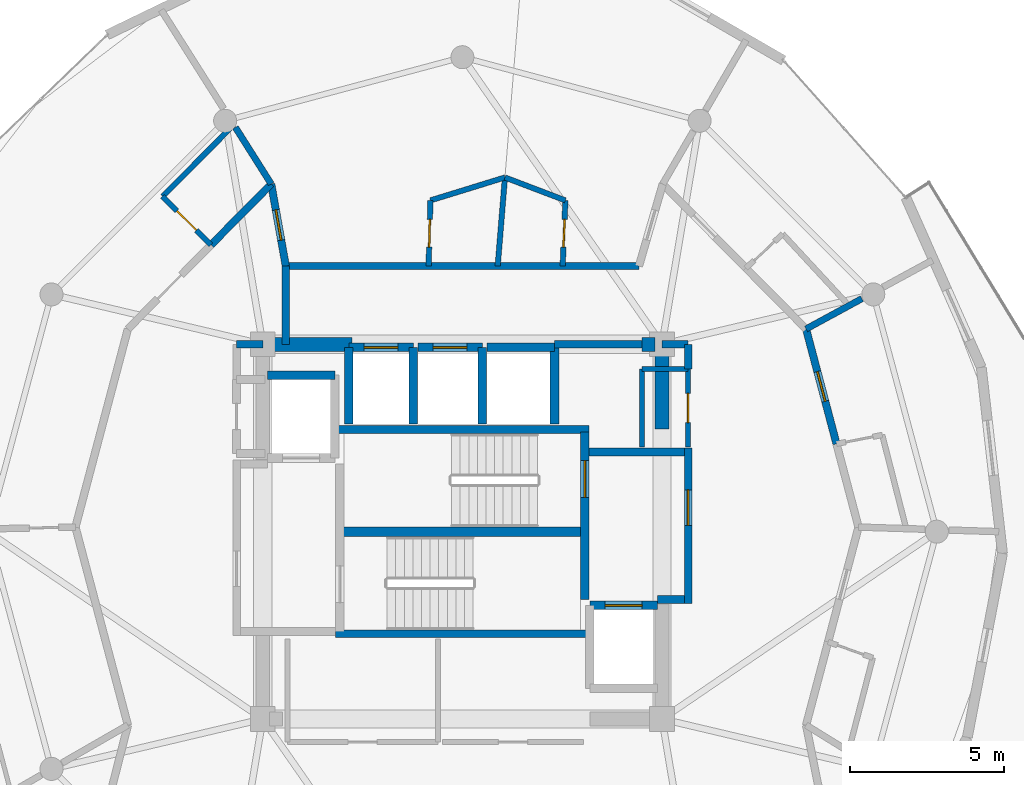
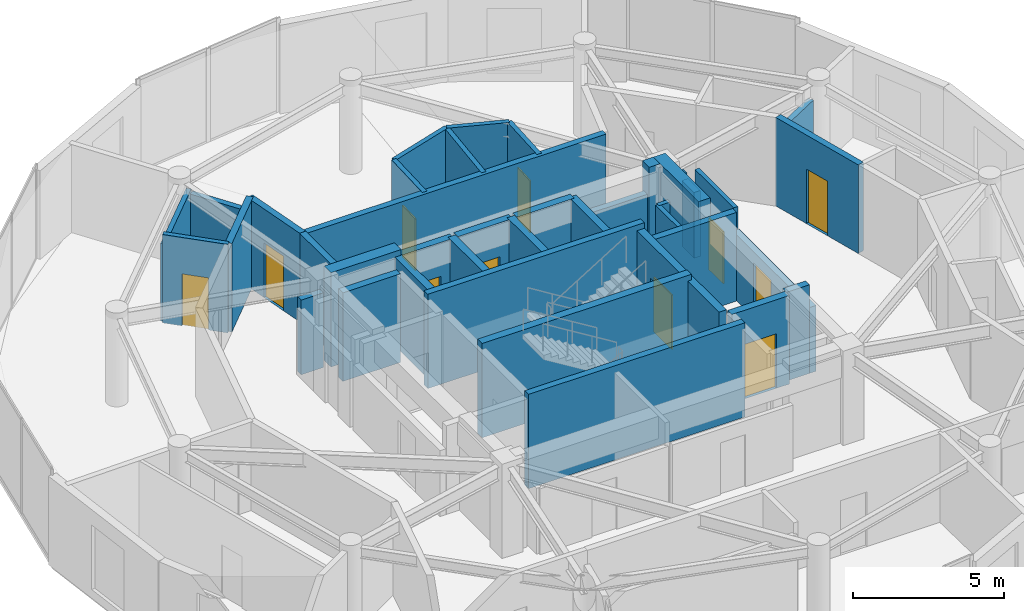
# One storey, part 19 of 23: 40 walls, 11 doors, 11 openings.
"""IFC4 building model written with IfcOpenShell, lengths in metres."""

from ifc_helpers import new_model, si_unit, direction, frame, frame_2d, origin, place, context, subcontext, project, spatial, rectangle, extrude, material, layer, layer_set, type_object, element, fill, save


model = new_model("IFC4")

# Units and contexts
model_context = context("Model", 3, precision=1e-05, world=origin(), true_north=direction((0.0, 1.0)))
body_context = subcontext(model_context, "Body", "Model", "MODEL_VIEW")
ifc_project = project(units=[si_unit("LENGTHUNIT", "METRE"), si_unit("AREAUNIT", "SQUARE_METRE"), si_unit("VOLUMEUNIT", "CUBIC_METRE"), si_unit("PLANEANGLEUNIT", "RADIAN"), si_unit("MASSUNIT", "GRAM", prefix="KILO")], contexts=[model_context])

# Site, building, storey
site_placement = place(None, origin())
site = spatial("IfcSite", under=ifc_project, at=site_placement, CompositionType="ELEMENT")
building_placement = place(site_placement, origin())
building = spatial("IfcBuilding", under=site, at=building_placement, Name="Solvirekh Grand Hotel", CompositionType="ELEMENT")
storey_placement = place(building_placement, frame((0.0, 0.0, 285.800048828125)))
storey = spatial("IfcBuildingStorey", under=building, at=storey_placement, Name="L74", CompositionType="ELEMENT", Elevation=285.800048828125)

# Walls
ifc_material_1 = material(Name="Concrete C50/60", Category="concrete")
ifc_layer_1 = layer(ifc_material_1, 0.35009765625)
ifc_layer_set_1 = layer_set([ifc_layer_1], Name="Concrete C50/60")
wall_type_1 = type_object("IfcWallType", Name="CoreDivWall_RC350", PredefinedType="SOLIDWALL", material=ifc_layer_set_1)
for number, where, z_axis, x_axis, name in (
    (1, (-4.1298828125, -3.324951171875, 0.0), (0.0, 0.0, 1.0), (1.0, 0.0, 0.0), "L74 core stair box wall ST-S"),
    (2, (-4.1298828125, 3.324951171875, 0.0), (0.0, 0.0, 1.0), (1.0, 0.0, 0.0), "L74 core stair box wall ST-N"),
):
    element("IfcWall", number, at=place(storey_placement, frame(where, z_axis=z_axis, x_axis=x_axis)), inside=storey, type_object=wall_type_1, Name=name, PredefinedType="SOLIDWALL", context=body_context, shape_type="SweptSolid", body=[
        extrude(rectangle(XDim=8.259765625, YDim=0.25, at=frame_2d((4.1298828125, 0.0))), origin(), (0.0, 0.0, 1.0), 3.800048828125),
    ])

# Wall, opening, door
ifc_material_2 = material(Name="Concrete C40/50", Category="concrete")
ifc_layer_2 = layer(ifc_material_2, 0.280029296875)
ifc_layer_set_2 = layer_set([ifc_layer_2], Name="Concrete C40/50")
wall_type_2 = type_object("IfcWallType", Name="CoreShaftWall_RC280", PredefinedType="SOLIDWALL", material=ifc_layer_set_2)
wall_1_placement = place(storey_placement, frame((-1.60009765625, 6.0, 0.0), z_axis=(0.0, 0.0, 1.0), x_axis=(-1.0, 0.0, 0.0)))
wall_1 = element("IfcWall", 3, at=wall_1_placement, inside=storey, type_object=wall_type_2, Name="L74 HP-1 hoistway N wall", PredefinedType="SOLIDWALL", context=body_context, shape_type="SweptSolid", body=[
    extrude(rectangle(XDim=2.099853515625, YDim=0.280029296875, at=frame_2d((1.0498046875, 0.0))), origin(), (0.0, 0.0, 1.0), 3.570068359375),
])
opening_1_placement = place(wall_1_placement, frame((0.5, 0.0, 0.0)))
opening_1 = element("IfcOpeningElement", 4, at=opening_1_placement, cuts=wall_1, Name="Opening LD01", PredefinedType="OPENING", context=body_context, shape_type="SweptSolid", body=[
    extrude(rectangle(XDim=1.10009765625, YDim=2.199951171875, at=frame_2d((0.550048828125, 1.10009765625))), frame((0.0, 0.14990234375, 0.0), z_axis=(0.0, -1.0, 0.0), x_axis=(1.0, 0.0, 0.0)), (0.0, 0.0, 1.0), 0.300048828125),
])
ifc_material_3 = material(Name="Fire-Rated Steel Door Assembly", Category="steel")
door_type_1 = type_object("IfcDoorType", Name="Door_LiftLanding_1100X2200", OperationType="SLIDING_TO_LEFT", PredefinedType="DOOR", material=ifc_material_3)
door_1_placement = place(opening_1_placement, origin())
door_1 = element("IfcDoor", 5, at=door_1_placement, inside=storey, type_object=door_type_1, Name="L74 HP-1 sliding lift landing door", OperationType="SLIDING_TO_LEFT", OverallHeight=2.199951171875, OverallWidth=1.10009765625, PredefinedType="DOOR", context=body_context, shape_type="SweptSolid", body=[
    extrude(rectangle(XDim=1.10009765625, YDim=2.199951171875, at=frame_2d((0.550048828125, 1.10009765625))), frame((0.0, 0.02490234375, 0.0), z_axis=(0.0, -1.0, 0.0), x_axis=(1.0, 0.0, 0.0)), (0.0, 0.0, 1.0), 0.050048828125),
])
fill(opening_1, door_1)

# Walls
for number, where, z_axis, x_axis, name in (
    (6, (-3.699951171875, 6.0, 0.0), (0.0, 0.0, 1.0), (0.0, -1.0, 0.0), "L74 HP-1 hoistway W wall"),
    (7, (-1.60009765625, 3.5, 0.0), (0.0, 0.0, 1.0), (0.0, 1.0, 0.0), "L74 HP-1 hoistway E wall"),
):
    element("IfcWall", number, at=place(storey_placement, frame(where, z_axis=z_axis, x_axis=x_axis)), inside=storey, type_object=wall_type_2, Name=name, PredefinedType="SOLIDWALL", context=body_context, shape_type="SweptSolid", body=[
        extrude(rectangle(XDim=2.5, YDim=0.280029296875, at=frame_2d((1.25, 0.0))), origin(), (0.0, 0.0, 1.0), 3.570068359375),
    ])

# Wall, opening, door
wall_2_placement = place(storey_placement, frame((0.64990234375, 6.0, 0.0), z_axis=(0.0, 0.0, 1.0), x_axis=(-1.0, 0.0, 0.0)))
wall_2 = element("IfcWall", 8, at=wall_2_placement, inside=storey, type_object=wall_type_2, Name="L74 HP-2 hoistway N wall", PredefinedType="SOLIDWALL", context=body_context, shape_type="SweptSolid", body=[
    extrude(rectangle(XDim=2.099853515625, YDim=0.280029296875, at=frame_2d((1.0498046875, 0.0))), origin(), (0.0, 0.0, 1.0), 3.570068359375),
])
opening_2_placement = place(wall_2_placement, frame((0.5, 0.0, 0.0)))
opening_2 = element("IfcOpeningElement", 9, at=opening_2_placement, cuts=wall_2, Name="Opening LD01", PredefinedType="OPENING", context=body_context, shape_type="SweptSolid", body=[
    extrude(rectangle(XDim=1.10009765625, YDim=2.199951171875, at=frame_2d((0.550048828125, 1.10009765625))), frame((0.0, 0.14990234375, 0.0), z_axis=(0.0, -1.0, 0.0), x_axis=(1.0, 0.0, 0.0)), (0.0, 0.0, 1.0), 0.300048828125),
])
door_2_placement = place(opening_2_placement, origin())
door_2 = element("IfcDoor", 10, at=door_2_placement, inside=storey, type_object=door_type_1, Name="L74 HP-2 sliding lift landing door", OperationType="SLIDING_TO_LEFT", OverallHeight=2.199951171875, OverallWidth=1.10009765625, PredefinedType="DOOR", context=body_context, shape_type="SweptSolid", body=[
    extrude(rectangle(XDim=1.10009765625, YDim=2.199951171875, at=frame_2d((0.550048828125, 1.10009765625))), frame((0.0, 0.02490234375, 0.0), z_axis=(0.0, -1.0, 0.0), x_axis=(1.0, 0.0, 0.0)), (0.0, 0.0, 1.0), 0.050048828125),
])
fill(opening_2, door_2)

# Walls
wall_3_placement = place(storey_placement, frame((0.64990234375, 3.5, 0.0), z_axis=(0.0, 0.0, 1.0), x_axis=(0.0, 1.0, 0.0)))
element("IfcWall", 11, at=wall_3_placement, inside=storey, type_object=wall_type_2, Name="L74 HP-2 hoistway E wall", PredefinedType="SOLIDWALL", context=body_context, shape_type="SweptSolid", body=[
    extrude(rectangle(XDim=2.5, YDim=0.280029296875, at=frame_2d((1.25, 0.0))), origin(), (0.0, 0.0, 1.0), 3.570068359375),
])
wall_4_placement = place(storey_placement, frame((3.0, 6.0, 0.0), z_axis=(0.0, 0.0, 1.0), x_axis=(-1.0, 0.0, 0.0)))
element("IfcWall", 12, at=wall_4_placement, inside=storey, type_object=wall_type_2, Name="L74 EX-1 hoistway N wall", PredefinedType="SOLIDWALL", context=body_context, shape_type="SweptSolid", body=[
    extrude(rectangle(XDim=2.199951171875, YDim=0.280029296875, at=frame_2d((1.10009765625, 0.0))), origin(), (0.0, 0.0, 1.0), 3.570068359375),
])
wall_5_placement = place(storey_placement, frame((3.0, 3.5, 0.0), z_axis=(0.0, 0.0, 1.0), x_axis=(0.0, 1.0, 0.0)))
element("IfcWall", 13, at=wall_5_placement, inside=storey, type_object=wall_type_2, Name="L74 EX-1 hoistway E wall", PredefinedType="SOLIDWALL", context=body_context, shape_type="SweptSolid", body=[
    extrude(rectangle(XDim=2.5, YDim=0.280029296875, at=frame_2d((1.25, 0.0))), origin(), (0.0, 0.0, 1.0), 3.570068359375),
])
wall_6_placement = place(storey_placement, frame((-4.14990234375, 5.10009765625, 0.0), z_axis=(0.0, 0.0, 1.0), x_axis=(-1.0, 0.0, 0.0)))
element("IfcWall", 14, at=wall_6_placement, inside=storey, type_object=wall_type_2, Name="L74 FL-1 hoistway N wall", PredefinedType="SOLIDWALL", context=body_context, shape_type="SweptSolid", body=[
    extrude(rectangle(XDim=2.2001953125, YDim=0.280029296875, at=frame_2d((1.10009765625, 0.0))), origin(), (0.0, 0.0, 1.0), 3.570068359375),
])

# Wall, opening, door
wall_7_placement = place(storey_placement, frame((6.35009765625, -2.39990234375, 0.0), z_axis=(0.0, 0.0, 1.0), x_axis=(-1.0, 0.0, 0.0)))
wall_7 = element("IfcWall", 15, at=wall_7_placement, inside=storey, type_object=wall_type_2, Name="L74 FL-2 hoistway N wall", PredefinedType="SOLIDWALL", context=body_context, shape_type="SweptSolid", body=[
    extrude(rectangle(XDim=2.2001953125, YDim=0.280029296875, at=frame_2d((1.10009765625, 0.0))), origin(), (0.0, 0.0, 1.0), 3.570068359375),
])
opening_3_placement = place(wall_7_placement, frame((0.5, 0.0, 0.0)))
opening_3 = element("IfcOpeningElement", 16, at=opening_3_placement, cuts=wall_7, Name="Opening LD02", PredefinedType="OPENING", context=body_context, shape_type="SweptSolid", body=[
    extrude(rectangle(XDim=1.199951171875, YDim=2.199951171875, at=frame_2d((0.60009765625, 1.10009765625))), frame((0.0, 0.14990234375, 0.0), z_axis=(0.0, -1.0, 0.0), x_axis=(1.0, 0.0, 0.0)), (0.0, 0.0, 1.0), 0.300048828125),
])
door_type_2 = type_object("IfcDoorType", Name="Door_LiftFF_1200X2200", OperationType="SLIDING_TO_LEFT", PredefinedType="DOOR", material=ifc_material_3)
door_3_placement = place(opening_3_placement, origin())
door_3 = element("IfcDoor", 17, at=door_3_placement, inside=storey, type_object=door_type_2, Name="L74 FL-2 sliding lift landing door", OperationType="SLIDING_TO_LEFT", OverallHeight=2.199951171875, OverallWidth=1.199951171875, PredefinedType="DOOR", context=body_context, shape_type="SweptSolid", body=[
    extrude(rectangle(XDim=1.199951171875, YDim=2.199951171875, at=frame_2d((0.60009765625, 1.10009765625))), frame((0.0, 0.02490234375, 0.0), z_axis=(0.0, -1.0, 0.0), x_axis=(1.0, 0.0, 0.0)), (0.0, 0.0, 1.0), 0.050048828125),
])
fill(opening_3, door_3)

wall_8_placement = place(storey_placement, frame((3.989990234375, -2.2099609375, 0.0), z_axis=(0.0, 0.0, 1.0), x_axis=(0.0, 1.0, 0.0)))
wall_8 = element("IfcWall", 18, at=wall_8_placement, inside=storey, type_object=wall_type_2, Name="L74 east stair landing enclosure wall", PredefinedType="SOLIDWALL", context=body_context, shape_type="SweptSolid", body=[
    extrude(rectangle(XDim=5.4599609375, YDim=0.280029296875, at=frame_2d((2.72998046875, 0.0))), origin(), (0.0, 0.0, 1.0), 3.570068359375),
])
opening_4_placement = place(wall_8_placement, frame((3.322998046875, 0.0, 0.0)))
opening_4 = element("IfcOpeningElement", 19, at=opening_4_placement, cuts=wall_8, Name="Opening D05", PredefinedType="OPENING", context=body_context, shape_type="SweptSolid", body=[
    extrude(rectangle(XDim=1.199951171875, YDim=2.199951171875, at=frame_2d((0.60009765625, 1.10009765625))), frame((0.0, 0.14990234375, 0.0), z_axis=(0.0, -1.0, 0.0), x_axis=(1.0, 0.0, 0.0)), (0.0, 0.0, 1.0), 0.300048828125),
])
door_type_3 = type_object("IfcDoorType", Name="Door_StairCore_1200X2200", OperationType="NOTDEFINED", PredefinedType="DOOR", material=ifc_material_3)
door_4_placement = place(opening_4_placement, origin())
door_4 = element("IfcDoor", 20, at=door_4_placement, inside=storey, type_object=door_type_3, Name="L74 exit stair ST-2 fire door", OperationType="SINGLE_SWING_RIGHT", OverallHeight=2.199951171875, OverallWidth=1.199951171875, PredefinedType="DOOR", context=body_context, shape_type="SweptSolid", body=[
    extrude(rectangle(XDim=1.199951171875, YDim=2.199951171875, at=frame_2d((0.60009765625, 1.10009765625))), frame((0.0, 0.02490234375, 0.0), z_axis=(0.0, -1.0, 0.0), x_axis=(1.0, 0.0, 0.0)), (0.0, 0.0, 1.0), 0.050048828125),
])
fill(opening_4, door_4)

# Walls
ifc_layer_3 = layer(ifc_material_1, 0.449951171875)
ifc_layer_set_3 = layer_set([ifc_layer_3], Name="Concrete C50/60")
wall_type_3 = type_object("IfcWallType", Name="CoreWall_RC450", PredefinedType="SHEAR", material=ifc_layer_set_3)
wall_9_placement = place(storey_placement, frame((-3.989990234375, 0.0, 0.0), z_axis=(0.0, 0.0, 1.0), x_axis=(1.0, 0.0, 0.0)))
element("IfcWall", 21, at=wall_9_placement, inside=storey, type_object=wall_type_3, Name="L74 central stair-spine shear wall", PredefinedType="SHEAR", context=body_context, shape_type="SweptSolid", body=[
    extrude(rectangle(XDim=7.97998046875, YDim=0.300048828125, at=frame_2d((3.989990234375, 0.0))), origin(), (0.0, 0.0, 1.0), 3.800048828125),
])
wall_10_placement = place(storey_placement, frame((-6.27490234375, 6.10009765625, 0.0), z_axis=(0.0, 0.0, 1.0), x_axis=(1.0, 0.0, 0.0)))
element("IfcWall", 22, at=wall_10_placement, inside=storey, type_object=wall_type_3, Name="L74 core corner shear wall NW-N", PredefinedType="SHEAR", context=body_context, shape_type="SweptSolid", body=[
    extrude(rectangle(XDim=2.6748046875, YDim=0.449951171875, at=frame_2d((1.33740234375, 0.0))), origin(), (0.0, 0.0, 1.0), 3.800048828125),
])
wall_11_placement = place(storey_placement, frame((5.85009765625, 6.10009765625, 0.0), z_axis=(0.0, 0.0, 1.0), x_axis=(1.0, 0.0, 0.0)))
element("IfcWall", 23, at=wall_11_placement, inside=storey, type_object=wall_type_3, Name="L74 core corner shear wall NE-N", PredefinedType="SHEAR", context=body_context, shape_type="SweptSolid", body=[
    extrude(rectangle(XDim=0.4248046875, YDim=0.449951171875, at=frame_2d((0.21240234375, 0.0))), origin(), (0.0, 0.0, 1.0), 3.800048828125),
])
wall_12_placement = place(storey_placement, frame((6.5, 3.35009765625, 0.0), z_axis=(0.0, 0.0, 1.0), x_axis=(0.0, 1.0, 0.0)))
element("IfcWall", 24, at=wall_12_placement, inside=storey, type_object=wall_type_3, Name="L74 core corner shear wall EN-E", PredefinedType="SHEAR", context=body_context, shape_type="SweptSolid", body=[
    extrude(rectangle(XDim=2.974853515625, YDim=0.449951171875, at=frame_2d((1.4873046875, 0.0))), origin(), (0.0, 0.0, 1.0), 3.800048828125),
])

# Wall, opening, door
ifc_material_4 = material(Name="Acoustic Gypsum Partition Assembly")
ifc_layer_4 = layer(ifc_material_4, 0.1650390625)
ifc_layer_set_4 = layer_set([ifc_layer_4], Name="Acoustic Gypsum Partition Assembly")
wall_type_4 = type_object("IfcWallType", Name="Part_BOH_165", PredefinedType="PARTITIONING", material=ifc_layer_set_4)
wall_13_placement = place(storey_placement, frame((7.35009765625, 2.75, 0.0), z_axis=(0.0, 0.0, 1.0), x_axis=(0.0, 1.0, 0.0)))
wall_13 = element("IfcWall", 25, at=wall_13_placement, inside=storey, type_object=wall_type_4, Name="L74 L74 Core Housekeeping & Linen Room wall 2", PredefinedType="PARTITIONING", context=body_context, shape_type="SweptSolid", body=[
    extrude(rectangle(XDim=2.550048828125, YDim=0.1650390625, at=frame_2d((1.27490234375, 0.0))), origin(), (0.0, 0.0, 1.0), 3.570068359375),
])
opening_5_placement = place(wall_13_placement, frame((0.800048828125, 0.0, 0.0)))
opening_5 = element("IfcOpeningElement", 26, at=opening_5_placement, cuts=wall_13, Name="Opening D10", PredefinedType="OPENING", context=body_context, shape_type="SweptSolid", body=[
    extrude(rectangle(XDim=0.949951171875, YDim=2.10009765625, at=frame_2d((0.47509765625, 1.050048828125))), frame((0.0, 0.092529296875, 0.0), z_axis=(0.0, -1.0, 0.0), x_axis=(1.0, 0.0, 0.0)), (0.0, 0.0, 1.0), 0.18505859375),
])
ifc_material_5 = material(Name="Anodized Bronze Aluminium 6063-T6", Category="aluminium")
door_type_4 = type_object("IfcDoorType", Name="Door_RoomInt_950X2100", OperationType="NOTDEFINED", PredefinedType="DOOR", material=ifc_material_5)
door_5_placement = place(opening_5_placement, origin())
door_5 = element("IfcDoor", 27, at=door_5_placement, inside=storey, type_object=door_type_4, Name="L74 L74 Core Housekeeping & Linen Room door", OperationType="SINGLE_SWING_RIGHT", OverallHeight=2.10009765625, OverallWidth=0.949951171875, PredefinedType="DOOR", context=body_context, shape_type="SweptSolid", body=[
    extrude(rectangle(XDim=0.949951171875, YDim=2.10009765625, at=frame_2d((0.47509765625, 1.050048828125))), frame((0.0, 0.02490234375, 0.0), z_axis=(0.0, -1.0, 0.0), x_axis=(1.0, 0.0, 0.0)), (0.0, 0.0, 1.0), 0.050048828125),
])
fill(opening_5, door_5)

# Walls
wall_14_placement = place(storey_placement, frame((7.35009765625, 5.300048828125, 0.0), z_axis=(0.0, 0.0, 1.0), x_axis=(-1.0, 0.0, 0.0)))
element("IfcWall", 28, at=wall_14_placement, inside=storey, type_object=wall_type_4, Name="L74 L74 Core Housekeeping & Linen Room wall 3", PredefinedType="PARTITIONING", context=body_context, shape_type="SweptSolid", body=[
    extrude(rectangle(XDim=1.5, YDim=0.1650390625, at=frame_2d((0.75, 0.0))), origin(), (0.0, 0.0, 1.0), 2.655029296875),
])
wall_15_placement = place(storey_placement, frame((5.85009765625, 5.300048828125, 0.0), z_axis=(0.0, 0.0, 1.0), x_axis=(0.0, -1.0, 0.0)))
element("IfcWall", 29, at=wall_15_placement, inside=storey, type_object=wall_type_4, Name="L74 L74 Core Housekeeping & Linen Room wall 4", PredefinedType="PARTITIONING", context=body_context, shape_type="SweptSolid", body=[
    extrude(rectangle(XDim=2.550048828125, YDim=0.1650390625, at=frame_2d((1.27490234375, 0.0))), origin(), (0.0, 0.0, 1.0), 2.655029296875),
])

# Wall, opening, door
ifc_layer_5 = layer(ifc_material_4, 0.239990234375)
ifc_layer_set_5 = layer_set([ifc_layer_5], Name="Acoustic Gypsum Partition Assembly")
wall_type_5 = type_object("IfcWallType", Name="Part_Corridor_240", PredefinedType="PARTITIONING", material=ifc_layer_set_5)
wall_16_placement = place(storey_placement, frame((7.35009765625, -2.340087890625, 0.0), z_axis=(0.0, 0.0, 1.0), x_axis=(0.0, 1.0, 0.0)))
wall_16 = element("IfcWall", 30, at=wall_16_placement, inside=storey, type_object=wall_type_5, Name="L74 east firefighting lobby smoke screen wall", PredefinedType="PARTITIONING", context=body_context, shape_type="SweptSolid", body=[
    extrude(rectangle(XDim=5.070068359375, YDim=0.239990234375, at=frame_2d((2.53515625, 0.0))), origin(), (0.0, 0.0, 1.0), 2.655029296875),
])
opening_6_placement = place(wall_16_placement, frame((2.548095703125, 0.0, 0.0)))
opening_6 = element("IfcOpeningElement", 31, at=opening_6_placement, cuts=wall_16, Name="Opening D06", PredefinedType="OPENING", context=body_context, shape_type="SweptSolid", body=[
    extrude(rectangle(XDim=1.14990234375, YDim=2.199951171875, at=frame_2d((0.574951171875, 1.10009765625))), frame((0.0, 0.1298828125, 0.0), z_axis=(0.0, -1.0, 0.0), x_axis=(1.0, 0.0, 0.0)), (0.0, 0.0, 1.0), 0.260009765625),
])
door_type_5 = type_object("IfcDoorType", Name="Door_FFLobby_1150X2200", OperationType="NOTDEFINED", PredefinedType="DOOR", material=ifc_material_3)
door_6_placement = place(opening_6_placement, origin())
door_6 = element("IfcDoor", 32, at=door_6_placement, inside=storey, type_object=door_type_5, Name="L74 east firefighting lobby smoke door", OperationType="SINGLE_SWING_RIGHT", OverallHeight=2.199951171875, OverallWidth=1.14990234375, PredefinedType="DOOR", context=body_context, shape_type="SweptSolid", body=[
    extrude(rectangle(XDim=1.14990234375, YDim=2.199951171875, at=frame_2d((0.574951171875, 1.10009765625))), frame((0.0, 0.02490234375, 0.0), z_axis=(0.0, -1.0, 0.0), x_axis=(1.0, 0.0, 0.0)), (0.0, 0.0, 1.0), 0.050048828125),
])
fill(opening_6, door_6)

# Walls
wall_17_placement = place(storey_placement, frame((-5.75, 8.64990234375, 0.0), z_axis=(0.0, 0.0, 1.0), x_axis=(1.0, 0.0, 0.0)))
element("IfcWall", 33, at=wall_17_placement, inside=storey, type_object=wall_type_5, Name="L74 north lift lobby enclosure wall", PredefinedType="PARTITIONING", context=body_context, shape_type="SweptSolid", body=[
    extrude(rectangle(XDim=11.5, YDim=0.239990234375, at=frame_2d((5.75, 0.0))), origin(), (0.0, 0.0, 1.0), 3.570068359375),
])
wall_18_placement = place(storey_placement, frame((3.0, 6.10009765625, 0.0), z_axis=(0.0, 0.0, 1.0), x_axis=(1.0, 0.0, 0.0)))
element("IfcWall", 34, at=wall_18_placement, inside=storey, type_object=wall_type_5, Name="L74 north core shaft infill wall", PredefinedType="PARTITIONING", context=body_context, shape_type="SweptSolid", body=[
    extrude(rectangle(XDim=2.85009765625, YDim=0.239990234375, at=frame_2d((1.425048828125, 0.0))), origin(), (0.0, 0.0, 1.0), 2.655029296875),
])
wall_19_placement = place(storey_placement, frame((7.35009765625, 5.300048828125, 0.0), z_axis=(0.0, 0.0, 1.0), x_axis=(0.0, 1.0, 0.0)))
element("IfcWall", 35, at=wall_19_placement, inside=storey, type_object=wall_type_5, Name="L74 NE core cheek closure wall", PredefinedType="PARTITIONING", context=body_context, shape_type="SweptSolid", body=[
    extrude(rectangle(XDim=0.800048828125, YDim=0.239990234375, at=frame_2d((0.39990234375, 0.0))), origin(), (0.0, 0.0, 1.0), 2.655029296875),
])
wall_20_placement = place(storey_placement, frame((6.5, 6.10009765625, 0.0), z_axis=(0.0, 0.0, 1.0), x_axis=(1.0, 0.0, 0.0)))
element("IfcWall", 36, at=wall_20_placement, inside=storey, type_object=wall_type_5, Name="L74 NE core corner tie wall", PredefinedType="PARTITIONING", context=body_context, shape_type="SweptSolid", body=[
    extrude(rectangle(XDim=0.85009765625, YDim=0.239990234375, at=frame_2d((0.425048828125, 0.0))), origin(), (0.0, 0.0, 1.0), 3.010986328125),
])
wall_21_placement = place(storey_placement, frame((-5.75, 6.10009765625, 0.0), z_axis=(0.0, 0.0, 1.0), x_axis=(0.0, 1.0, 0.0)))
element("IfcWall", 37, at=wall_21_placement, inside=storey, type_object=wall_type_5, Name="L74 north lift lobby west wall", PredefinedType="PARTITIONING", context=body_context, shape_type="SweptSolid", body=[
    extrude(rectangle(XDim=2.5498046875, YDim=0.239990234375, at=frame_2d((1.27490234375, 0.0))), origin(), (0.0, 0.0, 1.0), 3.570068359375),
])
wall_22_placement = place(storey_placement, frame((-7.35009765625, 6.10009765625, 0.0), z_axis=(0.0, 0.0, 1.0), x_axis=(1.0, 0.0, 0.0)))
element("IfcWall", 38, at=wall_22_placement, inside=storey, type_object=wall_type_5, Name="L74 NW core corner tie wall", PredefinedType="PARTITIONING", context=body_context, shape_type="SweptSolid", body=[
    extrude(rectangle(XDim=0.85009765625, YDim=0.239990234375, at=frame_2d((0.425048828125, 0.0))), origin(), (0.0, 0.0, 1.0), 3.010986328125),
])

# Wall, opening, door
wall_23_placement = place(storey_placement, frame((-6.22509765625, 11.322021484375, 0.0), z_axis=(0.0, 0.0, 1.0), x_axis=(0.175052712288, -0.984559062688, 0.0)))
wall_23 = element("IfcWall", 39, at=wall_23_placement, inside=storey, type_object=wall_type_5, Name="L74 Panorama Suite 7602 entrance wall", PredefinedType="PARTITIONING", context=body_context, shape_type="SweptSolid", body=[
    extrude(rectangle(XDim=2.714111328125, YDim=0.239990234375, at=frame_2d((1.35693359375, 0.0))), origin(), (0.0, 0.0, 1.0), 3.570068359375),
])
opening_7_placement = place(wall_23_placement, frame((0.85693359375, 0.0, 0.0)))
opening_7 = element("IfcOpeningElement", 40, at=opening_7_placement, cuts=wall_23, Name="Opening D07", PredefinedType="OPENING", context=body_context, shape_type="SweptSolid", body=[
    extrude(rectangle(XDim=1.0, YDim=2.199951171875, at=frame_2d((0.5, 1.10009765625))), frame((0.0, 0.1298828125, 0.0), z_axis=(0.0, -1.0, 0.0), x_axis=(1.0, 0.0, 0.0)), (0.0, 0.0, 1.0), 0.260009765625),
])
door_type_6 = type_object("IfcDoorType", Name="Door_GuestEntry_1000X2200", OperationType="NOTDEFINED", PredefinedType="DOOR", material=ifc_material_3)
door_7_placement = place(opening_7_placement, origin())
door_7 = element("IfcDoor", 41, at=door_7_placement, inside=storey, type_object=door_type_6, Name="L74 Panorama Suite 7602 entrance door", OperationType="SINGLE_SWING_RIGHT", OverallHeight=2.199951171875, OverallWidth=1.0, PredefinedType="DOOR", context=body_context, shape_type="SweptSolid", body=[
    extrude(rectangle(XDim=1.0, YDim=2.199951171875, at=frame_2d((0.5, 1.10009765625))), frame((0.0, 0.02490234375, 0.0), z_axis=(0.0, -1.0, 0.0), x_axis=(1.0, 0.0, 0.0)), (0.0, 0.0, 1.0), 0.050048828125),
])
fill(opening_7, door_7)

# Wall
wall_24_placement = place(storey_placement, frame((-6.22509765625, 11.322021484375, 0.0), z_axis=(0.0, 0.0, 1.0), x_axis=(-0.702979205765, -0.711210402245, 0.0)))
element("IfcWall", 42, at=wall_24_placement, inside=storey, type_object=wall_type_5, Name="L74 En-suite Bathroom 7603 corridor backing wall", PredefinedType="PARTITIONING", context=body_context, shape_type="SweptSolid", body=[
    extrude(rectangle(XDim=2.7880859375, YDim=0.239990234375, at=frame_2d((1.39404296875, 0.0))), origin(), (0.0, 0.0, 1.0), 3.570068359375),
])

# Wall, opening, door
wall_25_placement = place(storey_placement, frame((12.18310546875, 2.85888671875, 0.0), z_axis=(0.0, 0.0, 1.0), x_axis=(-0.256107548437, 0.966648293659, 0.0)))
wall_25 = element("IfcWall", 43, at=wall_25_placement, inside=storey, type_object=wall_type_5, Name="L74 Deluxe Guestroom 7605 entrance wall", PredefinedType="PARTITIONING", context=body_context, shape_type="SweptSolid", body=[
    extrude(rectangle(XDim=3.870361328125, YDim=0.239990234375, at=frame_2d((1.93505859375, 0.0))), origin(), (0.0, 0.0, 1.0), 3.570068359375),
])
opening_8_placement = place(wall_25_placement, frame((1.43505859375, 0.0, 0.0)))
opening_8 = element("IfcOpeningElement", 44, at=opening_8_placement, cuts=wall_25, Name="Opening D07", PredefinedType="OPENING", context=body_context, shape_type="SweptSolid", body=[
    extrude(rectangle(XDim=1.0, YDim=2.199951171875, at=frame_2d((0.5, 1.10009765625))), frame((0.0, 0.1298828125, 0.0), z_axis=(0.0, -1.0, 0.0), x_axis=(1.0, 0.0, 0.0)), (0.0, 0.0, 1.0), 0.260009765625),
])
door_8_placement = place(opening_8_placement, origin())
door_8 = element("IfcDoor", 45, at=door_8_placement, inside=storey, type_object=door_type_6, Name="L74 Deluxe Guestroom 7605 entrance door", OperationType="SINGLE_SWING_RIGHT", OverallHeight=2.199951171875, OverallWidth=1.0, PredefinedType="DOOR", context=body_context, shape_type="SweptSolid", body=[
    extrude(rectangle(XDim=1.0, YDim=2.199951171875, at=frame_2d((0.5, 1.10009765625))), frame((0.0, 0.02490234375, 0.0), z_axis=(0.0, -1.0, 0.0), x_axis=(1.0, 0.0, 0.0)), (0.0, 0.0, 1.0), 0.050048828125),
])
fill(opening_8, door_8)

# Walls
ifc_layer_6 = layer(ifc_material_4, 0.260009765625)
ifc_layer_set_6 = layer_set([ifc_layer_6], Name="Acoustic Gypsum Partition Assembly")
wall_type_6 = type_object("IfcWallType", Name="Part_LobbyFF_260", PredefinedType="PARTITIONING", material=ifc_layer_set_6)
wall_26_placement = place(storey_placement, frame((6.35009765625, -2.2099609375, 0.0), z_axis=(0.0, 0.0, 1.0), x_axis=(1.0, 0.0, 0.0)))
element("IfcWall", 46, at=wall_26_placement, inside=storey, type_object=wall_type_6, Name="L74 east firefighting lobby SE cheek", PredefinedType="PARTITIONING", context=body_context, shape_type="SweptSolid", body=[
    extrude(rectangle(XDim=0.875, YDim=0.260009765625, at=frame_2d((0.4375, 0.0))), origin(), (0.0, 0.0, 1.0), 3.570068359375),
])
wall_27_placement = place(storey_placement, frame((4.1298828125, 2.60009765625, 0.0), z_axis=(0.0, 0.0, 1.0), x_axis=(1.0, 0.0, 0.0)))
element("IfcWall", 47, at=wall_27_placement, inside=storey, type_object=wall_type_6, Name="L74 east firefighting lobby north partition", PredefinedType="PARTITIONING", context=body_context, shape_type="SweptSolid", body=[
    extrude(rectangle(XDim=3.09521484375, YDim=0.260009765625, at=frame_2d((1.547607421875, 0.0))), origin(), (0.0, 0.0, 1.0), 3.570068359375),
])
ifc_layer_7 = layer(ifc_material_4, 0.2099609375)
ifc_layer_set_7 = layer_set([ifc_layer_7], Name="Acoustic Gypsum Partition Assembly")
wall_type_7 = type_object("IfcWallType", Name="Part_SuiteDemise_210", PredefinedType="PARTITIONING", material=ifc_layer_set_7)
wall_28_placement = place(storey_placement, frame((11.19189453125, 6.60009765625, 0.0), z_axis=(0.0, 0.0, 1.0), x_axis=(0.878580364195, 0.477594538967, 0.0)))
element("IfcWall", 48, at=wall_28_placement, inside=storey, type_object=wall_type_7, Name="L74 suite radial wall 2 (A)", PredefinedType="PARTITIONING", context=body_context, shape_type="SweptSolid", body=[
    extrude(rectangle(XDim=2.068359375, YDim=0.2099609375, at=frame_2d((1.0341796875, 0.0))), origin(), (0.0, 0.0, 1.0), 3.010986328125),
])
wall_29_placement = place(storey_placement, frame((-6.22509765625, 11.322021484375, 0.0), z_axis=(0.0, 0.0, 1.0), x_axis=(-0.534565103323, 0.845127298287, 0.0)))
element("IfcWall", 49, at=wall_29_placement, inside=storey, type_object=wall_type_7, Name="L74 suite radial wall 5 (A)", PredefinedType="PARTITIONING", context=body_context, shape_type="SweptSolid", body=[
    extrude(rectangle(XDim=2.18310546875, YDim=0.2099609375, at=frame_2d((1.091552734375, 0.0))), origin(), (0.0, 0.0, 1.0), 3.010986328125),
])
ifc_layer_8 = layer(ifc_material_4, 0.175048828125)
ifc_layer_set_8 = layer_set([ifc_layer_8], Name="Acoustic Gypsum Partition Assembly")
wall_type_8 = type_object("IfcWallType", Name="Plumb_Ensuite_175", PredefinedType="PLUMBINGWALL", material=ifc_layer_set_8)
wall_30_placement = place(storey_placement, frame((1.385986328125, 11.534912109375, 0.0), z_axis=(0.0, 0.0, 1.0), x_axis=(0.934790511534, -0.355199520758, 0.0)))
element("IfcWall", 50, at=wall_30_placement, inside=storey, type_object=wall_type_8, Name="L74 En-suite Bathroom 7601 outer plumbing wall", PredefinedType="PLUMBINGWALL", context=body_context, shape_type="SweptSolid", body=[
    extrude(rectangle(XDim=2.105224609375, YDim=0.175048828125, at=frame_2d((1.052734375, 0.0))), origin(), (0.0, 0.0, 1.0), 3.570068359375),
])
wall_31_placement = place(storey_placement, frame((1.385986328125, 11.534912109375, 0.0), z_axis=(0.0, 0.0, 1.0), x_axis=(-0.081558642855, -0.99666854459, 0.0)))
element("IfcWall", 51, at=wall_31_placement, inside=storey, type_object=wall_type_8, Name="L74 En-suite Bathroom 7601 side plumbing wall", PredefinedType="PLUMBINGWALL", context=body_context, shape_type="SweptSolid", body=[
    extrude(rectangle(XDim=2.89453125, YDim=0.175048828125, at=frame_2d((1.447265625, 0.0))), origin(), (0.0, 0.0, 1.0), 3.570068359375),
])

# Wall, opening, door
wall_32_placement = place(storey_placement, frame((3.26611328125, 8.64990234375, 0.0), z_axis=(0.0, 0.0, 1.0), x_axis=(0.04108932736, 0.999155476979, 0.0)))
wall_32 = element("IfcWall", 52, at=wall_32_placement, inside=storey, type_object=wall_type_8, Name="L74 En-suite Bathroom 7601 entry plumbing wall", PredefinedType="PLUMBINGWALL", context=body_context, shape_type="SweptSolid", body=[
    extrude(rectangle(XDim=2.138916015625, YDim=0.175048828125, at=frame_2d((1.0693359375, 0.0))), origin(), (0.0, 0.0, 1.0), 3.570068359375),
])
opening_9_placement = place(wall_32_placement, frame((0.618896484375, 0.0, 0.0)))
opening_9 = element("IfcOpeningElement", 53, at=opening_9_placement, cuts=wall_32, Name="Opening D09", PredefinedType="OPENING", context=body_context, shape_type="SweptSolid", body=[
    extrude(rectangle(XDim=0.89990234375, YDim=2.10009765625, at=frame_2d((0.449951171875, 1.050048828125))), frame((0.0, 0.09765625, 0.0), z_axis=(0.0, -1.0, 0.0), x_axis=(1.0, 0.0, 0.0)), (0.0, 0.0, 1.0), 0.195068359375),
])
door_type_7 = type_object("IfcDoorType", Name="Door_Ensuite_900X2100", OperationType="NOTDEFINED", PredefinedType="DOOR", material=ifc_material_5)
door_9_placement = place(opening_9_placement, origin())
door_9 = element("IfcDoor", 54, at=door_9_placement, inside=storey, type_object=door_type_7, Name="L74 En-suite Bathroom 7601 door", OperationType="SINGLE_SWING_LEFT", OverallHeight=2.10009765625, OverallWidth=0.89990234375, PredefinedType="DOOR", context=body_context, shape_type="SweptSolid", body=[
    extrude(rectangle(XDim=0.89990234375, YDim=2.10009765625, at=frame_2d((0.449951171875, 1.050048828125))), frame((0.0, 0.02490234375, 0.0), z_axis=(0.0, -1.0, 0.0), x_axis=(1.0, 0.0, 0.0)), (0.0, 0.0, 1.0), 0.050048828125),
])
fill(opening_9, door_9)

# Wall
wall_33_placement = place(storey_placement, frame((-1.0400390625, 10.787109375, 0.0), z_axis=(0.0, 0.0, 1.0), x_axis=(0.955631255894, 0.294565617068, 0.0)))
element("IfcWall", 55, at=wall_33_placement, inside=storey, type_object=wall_type_8, Name="L74 En-suite Bathroom 7602 outer plumbing wall", PredefinedType="PLUMBINGWALL", context=body_context, shape_type="SweptSolid", body=[
    extrude(rectangle(XDim=2.53857421875, YDim=0.175048828125, at=frame_2d((1.269287109375, 0.0))), origin(), (0.0, 0.0, 1.0), 3.570068359375),
])

# Wall, opening, door
wall_34_placement = place(storey_placement, frame((-1.0400390625, 10.787109375, 0.0), z_axis=(0.0, 0.0, 1.0), x_axis=(-0.028090350184, -0.999605388254, 0.0)))
wall_34 = element("IfcWall", 56, at=wall_34_placement, inside=storey, type_object=wall_type_8, Name="L74 En-suite Bathroom 7602 entry plumbing wall", PredefinedType="PLUMBINGWALL", context=body_context, shape_type="SweptSolid", body=[
    extrude(rectangle(XDim=2.137939453125, YDim=0.175048828125, at=frame_2d((1.06884765625, 0.0))), origin(), (0.0, 0.0, 1.0), 3.570068359375),
])
opening_10_placement = place(wall_34_placement, frame((0.618896484375, 0.0, 0.0)))
opening_10 = element("IfcOpeningElement", 57, at=opening_10_placement, cuts=wall_34, Name="Opening D09", PredefinedType="OPENING", context=body_context, shape_type="SweptSolid", body=[
    extrude(rectangle(XDim=0.89990234375, YDim=2.10009765625, at=frame_2d((0.449951171875, 1.050048828125))), frame((0.0, 0.09765625, 0.0), z_axis=(0.0, -1.0, 0.0), x_axis=(1.0, 0.0, 0.0)), (0.0, 0.0, 1.0), 0.195068359375),
])
door_10_placement = place(opening_10_placement, origin())
door_10 = element("IfcDoor", 58, at=door_10_placement, inside=storey, type_object=door_type_7, Name="L74 En-suite Bathroom 7602 door", OperationType="SINGLE_SWING_LEFT", OverallHeight=2.10009765625, OverallWidth=0.89990234375, PredefinedType="DOOR", context=body_context, shape_type="SweptSolid", body=[
    extrude(rectangle(XDim=0.89990234375, YDim=2.10009765625, at=frame_2d((0.449951171875, 1.050048828125))), frame((0.0, 0.02490234375, 0.0), z_axis=(0.0, -1.0, 0.0), x_axis=(1.0, 0.0, 0.0)), (0.0, 0.0, 1.0), 0.050048828125),
])
fill(opening_10, door_10)

# Wall
wall_35_placement = place(storey_placement, frame((-7.443115234375, 13.248046875, 0.0), z_axis=(0.0, 0.0, 1.0), x_axis=(-0.705733293668, -0.708477606003, 0.0)))
element("IfcWall", 59, at=wall_35_placement, inside=storey, type_object=wall_type_8, Name="L74 En-suite Bathroom 7603 outer plumbing wall", PredefinedType="PLUMBINGWALL", context=body_context, shape_type="SweptSolid", body=[
    extrude(rectangle(XDim=3.29150390625, YDim=0.175048828125, at=frame_2d((1.645751953125, 0.0))), origin(), (0.0, 0.0, 1.0), 3.136962890625),
])

# Wall, opening, door
wall_36_placement = place(storey_placement, frame((-8.18505859375, 9.339111328125, 0.0), z_axis=(0.0, 0.0, 1.0), x_axis=(-0.708035494418, 0.706176846579, 0.0)))
wall_36 = element("IfcWall", 60, at=wall_36_placement, inside=storey, type_object=wall_type_8, Name="L74 En-suite Bathroom 7603 entry plumbing wall", PredefinedType="PLUMBINGWALL", context=body_context, shape_type="SweptSolid", body=[
    extrude(rectangle(XDim=2.23291015625, YDim=0.175048828125, at=frame_2d((1.116455078125, 0.0))), origin(), (0.0, 0.0, 1.0), 3.570068359375),
])
opening_11_placement = place(wall_36_placement, frame((0.6669921875, 0.0, 0.0)))
opening_11 = element("IfcOpeningElement", 61, at=opening_11_placement, cuts=wall_36, Name="Opening D09", PredefinedType="OPENING", context=body_context, shape_type="SweptSolid", body=[
    extrude(rectangle(XDim=0.89990234375, YDim=2.10009765625, at=frame_2d((0.449951171875, 1.050048828125))), frame((0.0, 0.09765625, 0.0), z_axis=(0.0, -1.0, 0.0), x_axis=(1.0, 0.0, 0.0)), (0.0, 0.0, 1.0), 0.195068359375),
])
door_11_placement = place(opening_11_placement, origin())
door_11 = element("IfcDoor", 62, at=door_11_placement, inside=storey, type_object=door_type_7, Name="L74 En-suite Bathroom 7603 door", OperationType="SINGLE_SWING_LEFT", OverallHeight=2.10009765625, OverallWidth=0.89990234375, PredefinedType="DOOR", context=body_context, shape_type="SweptSolid", body=[
    extrude(rectangle(XDim=0.89990234375, YDim=2.10009765625, at=frame_2d((0.449951171875, 1.050048828125))), frame((0.0, 0.02490234375, 0.0), z_axis=(0.0, -1.0, 0.0), x_axis=(1.0, 0.0, 0.0)), (0.0, 0.0, 1.0), 0.050048828125),
])
fill(opening_11, door_11)

save(model, "model.ifc")
